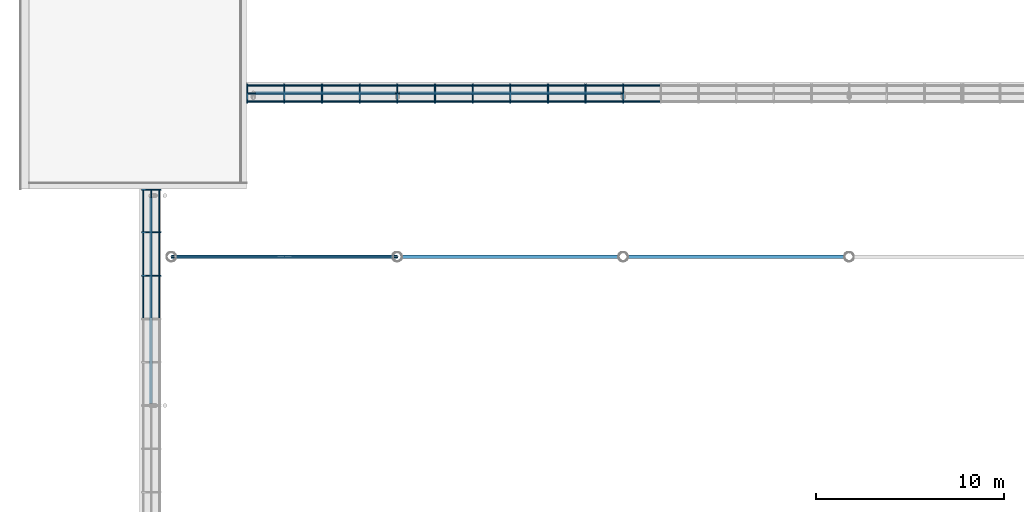
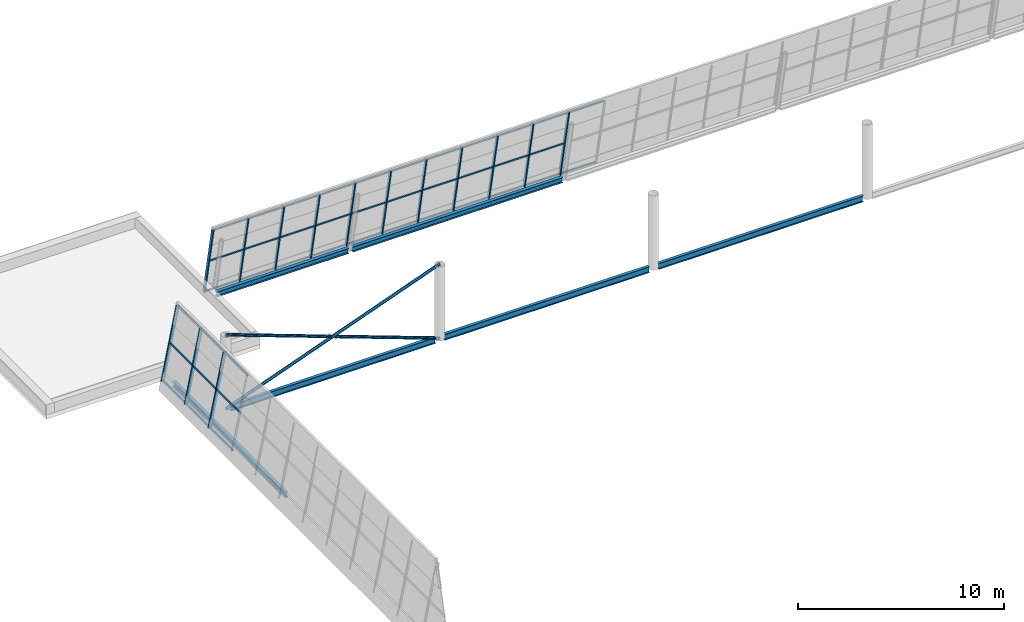
# One storey, part 12 of 50: 58 members, 6 beams, 2 elements without a shape of their own.
"""IFC4 building model written with IfcOpenShell, lengths in metres."""

import ifcopenshell
import ifcopenshell.guid

model = None  # the IFC model being written
_history = None  # IfcOwnerHistory: only IFC2X3 demands one
_inside = {}  # id of a spatial element -> (the spatial element, [elements in it])
_under = {}  # id of a project, library or spatial element -> (it, [spatial elements below it])
_declared = {}  # id of a project -> (the project, [libraries it declares])
_typed = {}  # id of a type object -> (the type object, [elements of that type])
_made_of = {}  # id of a material, layer set ... -> (it, [elements and type objects made of it])


def new_model(schema):
    """Start an empty IFC model of exactly this schema.

    Asked for "IFC4X3", IfcOpenShell would pick the latest addendum, in which some entities
    have other attributes; the version numbers below select the first issue.
    IFC2X3 requires an IfcOwnerHistory on every rooted entity: one is made here for all.
    """
    global model, _history
    if schema == "IFC4X3":
        model = ifcopenshell.file(schema_version=(4, 3, 0, 0))
    else:
        model = ifcopenshell.file(schema=schema)
    _inside.clear()
    _under.clear()
    _declared.clear()
    _typed.clear()
    _made_of.clear()
    _history = None
    if model.schema == "IFC2X3":
        org = make("IfcOrganization", Name="unknown")
        user = make(
            "IfcPersonAndOrganization",
            ThePerson=make("IfcPerson", FamilyName="unknown"),
            TheOrganization=org,
        )
        app = make(
            "IfcApplication",
            ApplicationDeveloper=org,
            Version="unknown",
            ApplicationFullName="unknown",
            ApplicationIdentifier="unknown",
        )
        _history = make(
            "IfcOwnerHistory",
            OwningUser=user,
            OwningApplication=app,
            ChangeAction="ADDED",
            CreationDate=0,
        )
    return model


def make(cls, **values):
    """One entity of the class cls with the attributes given. An attribute that is None is left unset."""
    return model.create_entity(
        cls, **{name: value for name, value in values.items() if value is not None}
    )


def rooted(cls, **values):
    """An entity with a GlobalId (a new one), such as an element, a storey or a relation."""
    return make(cls, GlobalId=ifcopenshell.guid.new(), OwnerHistory=_history, **values)


def si_unit(unit_type, name, prefix=None):
    """IfcSIUnit, for example si_unit("LENGTHUNIT", "METRE", prefix="MILLI")."""
    return make("IfcSIUnit", UnitType=unit_type, Prefix=prefix, Name=name)


def assignment(units):
    """IfcUnitAssignment: the units of a project."""
    return None if units is None else make("IfcUnitAssignment", Units=units)


def point(xyz):
    """IfcCartesianPoint."""
    return None if xyz is None else make("IfcCartesianPoint", Coordinates=xyz)


def direction(xyz):
    """IfcDirection."""
    return None if xyz is None else make("IfcDirection", DirectionRatios=xyz)


def frame(location, z_axis=None, x_axis=None):
    """IfcAxis2Placement3D, a coordinate frame: its origin and axes. An axis left out is left unset."""
    return make(
        "IfcAxis2Placement3D",
        Location=point(location),
        Axis=direction(z_axis),
        RefDirection=direction(x_axis),
    )


def frame_2d(location, x_axis=None):
    """IfcAxis2Placement2D, a coordinate frame in the plane: its origin and x axis."""
    return make(
        "IfcAxis2Placement2D", Location=point(location), RefDirection=direction(x_axis)
    )


def origin():
    """The frame at (0, 0, 0) with its axes left unset."""
    return frame((0.0, 0.0, 0.0))


def origin_2d():
    """The frame at (0, 0) in the plane with its x axis left unset."""
    return frame_2d((0.0, 0.0))


def place(relative_to, where):
    """IfcLocalPlacement: puts the frame where relative to a parent placement (None: the world)."""
    return make(
        "IfcLocalPlacement", PlacementRelTo=relative_to, RelativePlacement=where
    )


def context(
    kind, dimensions, precision=None, world=None, true_north=None, identifier=None
):
    """IfcGeometricRepresentationContext, for example the 3D "Model" context."""
    return make(
        "IfcGeometricRepresentationContext",
        ContextIdentifier=identifier,
        ContextType=kind,
        CoordinateSpaceDimension=dimensions,
        Precision=precision,
        WorldCoordinateSystem=world,
        TrueNorth=true_north,
    )


def subcontext(parent, identifier, kind, view, scale=None):
    """IfcGeometricRepresentationSubContext, for example "Body" below "Model"."""
    return make(
        "IfcGeometricRepresentationSubContext",
        ContextIdentifier=identifier,
        ContextType=kind,
        ParentContext=parent,
        TargetScale=scale,
        TargetView=view,
    )


def project(units=None, contexts=None):
    """IfcProject with its units and contexts."""
    return rooted(
        "IfcProject",
        Name="project",
        RepresentationContexts=contexts,
        UnitsInContext=assignment(units),
    )


def spatial(cls, under=None, at=None, **own):
    """A site, building, storey or space (cls), placed at a placement, below another one or the project."""
    s = rooted(cls, ObjectPlacement=at, **own)
    if under is not None:
        _under.setdefault(under.id(), (under, []))[1].append(s)
    return s


def profile(cls, at=None, kind="AREA", **sizes):
    """A parametric profile (cls). Its sizes go by their IFC names, for example OverallWidth=200.0."""
    return make(cls, ProfileType=kind, Position=at, **sizes)


def rectangle(**sizes):
    """IfcRectangleProfileDef."""
    return profile("IfcRectangleProfileDef", **sizes)


def hollow_circle(**sizes):
    """IfcCircleHollowProfileDef."""
    return profile("IfcCircleHollowProfileDef", **sizes)


def i_section(**sizes):
    """IfcIShapeProfileDef."""
    return profile("IfcIShapeProfileDef", **sizes)


def extrude(swept, where, along, depth):
    """IfcExtrudedAreaSolid: the profile swept, set in the frame where, extruded along a direction by depth."""
    return make(
        "IfcExtrudedAreaSolid",
        SweptArea=swept,
        Position=where,
        ExtrudedDirection=direction(along),
        Depth=depth,
    )


def shape(context_of_items, identifier, shape_type, items):
    """IfcShapeRepresentation: the items that make up one representation, for example the "Body"."""
    return make(
        "IfcShapeRepresentation",
        ContextOfItems=context_of_items,
        RepresentationIdentifier=identifier,
        RepresentationType=shape_type,
        Items=items,
    )


def material(Name=None, Category=None):
    """IfcMaterial."""
    return make("IfcMaterial", Name=Name, Category=Category)


def layer(
    of_material, thickness, ventilated=None, Name=None, Category=None, Priority=None
):
    """IfcMaterialLayer: one layer of a wall or slab, of a material (None: an air gap)."""
    return make(
        "IfcMaterialLayer",
        Material=of_material,
        LayerThickness=thickness,
        IsVentilated=ventilated,
        Name=Name,
        Category=Category,
        Priority=Priority,
    )


def layer_set(layers, Name=None):
    """IfcMaterialLayerSet."""
    return make("IfcMaterialLayerSet", MaterialLayers=layers, LayerSetName=Name)


def material_profile(
    of_material, cross_section, Name=None, Category=None, Priority=None
):
    """IfcMaterialProfile: a cross section and its material."""
    return make(
        "IfcMaterialProfile",
        Name=Name,
        Material=of_material,
        Profile=cross_section,
        Priority=Priority,
        Category=Category,
    )


def profile_set(profiles, Name=None, composite=None):
    """IfcMaterialProfileSet."""
    return make(
        "IfcMaterialProfileSet",
        Name=Name,
        MaterialProfiles=profiles,
        CompositeProfile=composite,
    )


def made_of(thing, what):
    """Note that an element or type object is made of a material, layer set ...; save() writes the relation."""
    if what is not None:
        _made_of.setdefault(what.id(), (what, []))[1].append(thing)
    return thing


def type_object(cls, material=None, **own):
    """A type object (cls), such as IfcWallType, which elements share."""
    return made_of(rooted(cls, **own), material)


def element(
    cls,
    number,
    at=None,
    inside=None,
    cuts=None,
    type_object=None,
    material=None,
    context=None,
    identifier="Body",
    shape_type=None,
    held_by="IfcProductDefinitionShape",
    body=None,
    shapes=None,
    **own,
):
    """One element of the class cls, such as IfcWall. Its Tag is "e" and its number.

    at: its placement. inside: the storey or other place that contains it. cuts: it is an
    opening in that element (IfcRelVoidsElement). A single representation is given by context,
    identifier, shape_type and body (its items); several are given by shapes. held_by: the class
    of the entity that holds the representations. save() writes the other relations.
    """
    e = rooted(cls, Tag="e%d" % number, ObjectPlacement=at, **own)
    if body is not None:
        shapes = [shape(context, identifier, shape_type, body)]
    if shapes is not None:
        e.Representation = make(held_by, Representations=shapes)
    if inside is not None:
        _inside.setdefault(inside.id(), (inside, []))[1].append(e)
    if cuts is not None:
        rooted(
            "IfcRelVoidsElement", RelatingBuildingElement=cuts, RelatedOpeningElement=e
        )
    if type_object is not None:
        _typed.setdefault(type_object.id(), (type_object, []))[1].append(e)
    return made_of(e, material)


def aggregate(whole, parts):
    """IfcRelAggregates: a whole, such as a stair, and the parts it consists of."""
    return rooted("IfcRelAggregates", RelatingObject=whole, RelatedObjects=parts)


def save(model, path):
    """Write the relations noted so far, then the file.

    IfcRelAggregates (storeys below a building ...), IfcRelContainedInSpatialStructure (elements
    in a storey), IfcRelDefinesByType, IfcRelAssociatesMaterial and IfcRelDeclares: one each for
    every whole, place, type object, material and project.
    """
    for whole, parts in _under.values():
        aggregate(whole, parts)
    for where, things in _inside.values():
        rooted(
            "IfcRelContainedInSpatialStructure",
            RelatedElements=things,
            RelatingStructure=where,
        )
    for kind, things in _typed.values():
        rooted("IfcRelDefinesByType", RelatedObjects=things, RelatingType=kind)
    for what, things in _made_of.values():
        rooted("IfcRelAssociatesMaterial", RelatedObjects=things, RelatingMaterial=what)
    for by, libraries in _declared.values():
        rooted("IfcRelDeclares", RelatingContext=by, RelatedDefinitions=libraries)
    model.write(path)


model = new_model("IFC4")

# Units and contexts
model_context = context("Model", 3, precision=1e-05, world=origin(), true_north=direction((0.0, 1.0)))
body_context = subcontext(model_context, "Body", "Model", "MODEL_VIEW")
ifc_project = project(units=[si_unit("LENGTHUNIT", "METRE"), si_unit("AREAUNIT", "SQUARE_METRE"), si_unit("VOLUMEUNIT", "CUBIC_METRE"), si_unit("PLANEANGLEUNIT", "RADIAN"), si_unit("MASSUNIT", "GRAM", prefix="KILO")], contexts=[model_context])

# Site, building, storey
site_placement = place(None, origin())
site = spatial("IfcSite", under=ifc_project, at=site_placement, CompositionType="ELEMENT")
building_placement = place(site_placement, origin())
building = spatial("IfcBuilding", under=site, at=building_placement, Name="Windward Yard Aquatics Centre", CompositionType="ELEMENT")
storey_placement = place(building_placement, frame((0.0, 0.0, 18.199951171875)))
storey = spatial("IfcBuildingStorey", under=building, at=storey_placement, Name="L04", CompositionType="ELEMENT", Elevation=18.199951171875)

# Curtain wall, members
ifc_material_1 = material(Name="Glass and aluminium curtain wall", Category="aluminium")
ifc_layer = layer(ifc_material_1, 0.179931640625)
ifc_layer_set = layer_set([ifc_layer], Name="H curtain wall tier 2 double glazed 6+16+6")
curtain_wall_type = type_object("IfcCurtainWallType", Name="H curtain wall tier 2 double glazed 6+16+6", PredefinedType="NOTDEFINED", material=ifc_layer_set)
curtain_wall_1_placement = place(storey_placement, origin())
curtain_wall_1 = element("IfcCurtainWall", 1, at=curtain_wall_1_placement, inside=storey, type_object=curtain_wall_type, Name="Tier 2 glazing N L04", PredefinedType="NOTDEFINED")
ifc_material_2 = material(Name="Aluminium 6063-T6 anodised", Category="aluminium")
ifc_material_profile_1 = material_profile(ifc_material_2, rectangle(XDim=0.06494140625, YDim=0.179931640625, at=origin_2d()), Name="H CW mullion 65x180")
ifc_profile_set_1 = profile_set([ifc_material_profile_1], Name="Aluminium 6063-T6 anodised")
member_type_1 = type_object("IfcMemberType", Name="H CW mullion 65x180", PredefinedType="MULLION", material=ifc_profile_set_1)
member_1_placement = place(storey_placement, frame((64.032470703125, 89.494873046875, 0.0), z_axis=(0.0, -0.199376314935, 0.979922999548), x_axis=(1.0, 0.0, 0.0)))
member_1 = element("IfcMember", 2, at=member_1_placement, type_object=member_type_1, Name="G2NA mullion 1", PredefinedType="MULLION", context=body_context, shape_type="SweptSolid", body=[
    extrude(rectangle(XDim=0.06494140625, YDim=0.179931640625, at=origin_2d()), origin(), (0.0, 0.0, 1.0), 4.31884765625),
])
member_2_placement = place(storey_placement, frame((65.999755859375, 89.494873046875, 0.0), z_axis=(0.0, -0.199376314935, 0.979922999548), x_axis=(1.0, 0.0, 0.0)))
member_2 = element("IfcMember", 3, at=member_2_placement, type_object=member_type_1, Name="G2NA mullion 2", PredefinedType="MULLION", context=body_context, shape_type="SweptSolid", body=[
    extrude(rectangle(XDim=0.06494140625, YDim=0.179931640625, at=origin_2d()), origin(), (0.0, 0.0, 1.0), 4.31884765625),
])
member_3_placement = place(storey_placement, frame((67.99951171875, 89.494873046875, 0.0), z_axis=(0.0, -0.199376314935, 0.979922999548), x_axis=(1.0, 0.0, 0.0)))
member_3 = element("IfcMember", 4, at=member_3_placement, type_object=member_type_1, Name="G2NA mullion 3", PredefinedType="MULLION", context=body_context, shape_type="SweptSolid", body=[
    extrude(rectangle(XDim=0.06494140625, YDim=0.179931640625, at=origin_2d()), origin(), (0.0, 0.0, 1.0), 4.31884765625),
])
member_4_placement = place(storey_placement, frame((69.999267578125, 89.494873046875, 0.0), z_axis=(0.0, -0.199376314935, 0.979922999548), x_axis=(1.0, 0.0, 0.0)))
member_4 = element("IfcMember", 5, at=member_4_placement, type_object=member_type_1, Name="G2NA mullion 4", PredefinedType="MULLION", context=body_context, shape_type="SweptSolid", body=[
    extrude(rectangle(XDim=0.06494140625, YDim=0.179931640625, at=origin_2d()), origin(), (0.0, 0.0, 1.0), 4.31884765625),
])
member_5_placement = place(storey_placement, frame((71.9990234375, 89.494873046875, 0.0), z_axis=(0.0, -0.199376314935, 0.979922999548), x_axis=(1.0, 0.0, 0.0)))
member_5 = element("IfcMember", 6, at=member_5_placement, type_object=member_type_1, Name="G2NA mullion 5", PredefinedType="MULLION", context=body_context, shape_type="SweptSolid", body=[
    extrude(rectangle(XDim=0.06494140625, YDim=0.179931640625, at=origin_2d()), origin(), (0.0, 0.0, 1.0), 4.31884765625),
])
member_6_placement = place(storey_placement, frame((73.998779296875, 89.494873046875, 0.0), z_axis=(0.0, -0.199376314935, 0.979922999548), x_axis=(1.0, 0.0, 0.0)))
member_6 = element("IfcMember", 7, at=member_6_placement, type_object=member_type_1, Name="G2NA mullion 6", PredefinedType="MULLION", context=body_context, shape_type="SweptSolid", body=[
    extrude(rectangle(XDim=0.06494140625, YDim=0.179931640625, at=origin_2d()), origin(), (0.0, 0.0, 1.0), 4.31884765625),
])
member_7_placement = place(storey_placement, frame((75.99853515625, 89.494873046875, 0.0), z_axis=(0.0, -0.199376314935, 0.979922999548), x_axis=(1.0, 0.0, 0.0)))
member_7 = element("IfcMember", 8, at=member_7_placement, type_object=member_type_1, Name="G2NA mullion 7", PredefinedType="MULLION", context=body_context, shape_type="SweptSolid", body=[
    extrude(rectangle(XDim=0.06494140625, YDim=0.179931640625, at=origin_2d()), origin(), (0.0, 0.0, 1.0), 4.31884765625),
])
member_8_placement = place(storey_placement, frame((77.998046875, 89.494873046875, 0.0), z_axis=(0.0, -0.199376314935, 0.979922999548), x_axis=(1.0, 0.0, 0.0)))
member_8 = element("IfcMember", 9, at=member_8_placement, type_object=member_type_1, Name="G2NA mullion 8", PredefinedType="MULLION", context=body_context, shape_type="SweptSolid", body=[
    extrude(rectangle(XDim=0.06494140625, YDim=0.179931640625, at=origin_2d()), origin(), (0.0, 0.0, 1.0), 4.31884765625),
])
member_9_placement = place(storey_placement, frame((79.997802734375, 89.494873046875, 0.0), z_axis=(0.0, -0.199376314935, 0.979922999548), x_axis=(1.0, 0.0, 0.0)))
member_9 = element("IfcMember", 10, at=member_9_placement, type_object=member_type_1, Name="G2NA mullion 9", PredefinedType="MULLION", context=body_context, shape_type="SweptSolid", body=[
    extrude(rectangle(XDim=0.06494140625, YDim=0.179931640625, at=origin_2d()), origin(), (0.0, 0.0, 1.0), 4.31884765625),
])
member_10_placement = place(storey_placement, frame((81.99755859375, 89.494873046875, 0.0), z_axis=(0.0, -0.199376314935, 0.979922999548), x_axis=(1.0, 0.0, 0.0)))
member_10 = element("IfcMember", 11, at=member_10_placement, type_object=member_type_1, Name="G2NA mullion 10", PredefinedType="MULLION", context=body_context, shape_type="SweptSolid", body=[
    extrude(rectangle(XDim=0.06494140625, YDim=0.179931640625, at=origin_2d()), origin(), (0.0, 0.0, 1.0), 4.31884765625),
])
member_11_placement = place(storey_placement, frame((83.997314453125, 89.494873046875, 0.0), z_axis=(0.0, -0.199376314935, 0.979922999548), x_axis=(1.0, 0.0, 0.0)))
member_11 = element("IfcMember", 12, at=member_11_placement, type_object=member_type_1, Name="G2NA mullion 11", PredefinedType="MULLION", context=body_context, shape_type="SweptSolid", body=[
    extrude(rectangle(XDim=0.06494140625, YDim=0.179931640625, at=origin_2d()), origin(), (0.0, 0.0, 1.0), 4.31884765625),
])

curtain_wall_2_placement = place(storey_placement, origin())
curtain_wall_2 = element("IfcCurtainWall", 13, at=curtain_wall_2_placement, inside=storey, type_object=curtain_wall_type, Name="Tier 2 glazing W L04", PredefinedType="NOTDEFINED")
member_12_placement = place(storey_placement, frame((58.505126953125, 79.39990234375, 0.0), z_axis=(0.199376314935, 0.0, 0.979922999548), x_axis=(0.0, 1.0, 0.0)))
member_12 = element("IfcMember", 14, at=member_12_placement, type_object=member_type_1, Name="G2WA mullion 19", PredefinedType="MULLION", context=body_context, shape_type="SweptSolid", body=[
    extrude(rectangle(XDim=0.06494140625, YDim=0.179931640625, at=origin_2d()), origin(), (0.0, 0.0, 1.0), 4.31884765625),
])
member_13_placement = place(storey_placement, frame((58.505126953125, 81.699951171875, 0.0), z_axis=(0.199376314935, 0.0, 0.979922999548), x_axis=(0.0, 1.0, 0.0)))
member_13 = element("IfcMember", 15, at=member_13_placement, type_object=member_type_1, Name="G2WA mullion 20", PredefinedType="MULLION", context=body_context, shape_type="SweptSolid", body=[
    extrude(rectangle(XDim=0.06494140625, YDim=0.179931640625, at=origin_2d()), origin(), (0.0, 0.0, 1.0), 4.31884765625),
])
member_14_placement = place(storey_placement, frame((58.505126953125, 83.967529296875, 0.0), z_axis=(0.199376314935, 0.0, 0.979922999548), x_axis=(0.0, 1.0, 0.0)))
member_14 = element("IfcMember", 16, at=member_14_placement, type_object=member_type_1, Name="G2WA mullion 21", PredefinedType="MULLION", context=body_context, shape_type="SweptSolid", body=[
    extrude(rectangle(XDim=0.06494140625, YDim=0.179931640625, at=origin_2d()), origin(), (0.0, 0.0, 1.0), 4.31884765625),
])

# Member
ifc_material_profile_2 = material_profile(ifc_material_2, rectangle(XDim=0.06494140625, YDim=0.10009765625, at=origin_2d()), Name="H CW transom 65x100")
ifc_profile_set_2 = profile_set([ifc_material_profile_2], Name="Aluminium 6063-T6 anodised")
member_type_2 = type_object("IfcMemberType", Name="H CW transom 65x100", PredefinedType="USERDEFINED", material=ifc_profile_set_2)
member_15_placement = place(storey_placement, frame((64.06494140625, 89.48486328125, 0.049072265625), z_axis=(1.0, 0.0, 0.0), x_axis=(0.0, 0.9799247046, 0.19936793452)))
member_15 = element("IfcMember", 17, at=member_15_placement, type_object=member_type_2, Name="G2NA transom 1.1", ObjectType="TRANSOM", PredefinedType="USERDEFINED", context=body_context, shape_type="SweptSolid", body=[
    extrude(rectangle(XDim=0.06494140625, YDim=0.10009765625, at=origin_2d()), origin(), (0.0, 0.0, 1.0), 1.90234375),
])

member_16_placement = place(storey_placement, frame((64.06494140625, 89.0625, 2.125), z_axis=(1.0, 0.0, 0.0), x_axis=(0.0, 0.9799247046, 0.19936793452)))
member_16 = element("IfcMember", 18, at=member_16_placement, type_object=member_type_2, Name="G2NA transom 1.2", ObjectType="TRANSOM", PredefinedType="USERDEFINED", context=body_context, shape_type="SweptSolid", body=[
    extrude(rectangle(XDim=0.06494140625, YDim=0.10009765625, at=origin_2d()), origin(), (0.0, 0.0, 1.0), 1.90234375),
])

member_17_placement = place(storey_placement, frame((64.06494140625, 88.641357421875, 4.194580078125), z_axis=(1.0, 0.0, 0.0), x_axis=(0.0, 0.9799247046, 0.19936793452)))
member_17 = element("IfcMember", 19, at=member_17_placement, type_object=member_type_2, Name="G2NA transom 1.3", ObjectType="TRANSOM", PredefinedType="USERDEFINED", context=body_context, shape_type="SweptSolid", body=[
    extrude(rectangle(XDim=0.06494140625, YDim=0.10009765625, at=origin_2d()), origin(), (0.0, 0.0, 1.0), 1.90234375),
])

member_18_placement = place(storey_placement, frame((66.0322265625, 89.48486328125, 0.049072265625), z_axis=(1.0, 0.0, 0.0), x_axis=(0.0, 0.9799247046, 0.19936793452)))
member_18 = element("IfcMember", 20, at=member_18_placement, type_object=member_type_2, Name="G2NA transom 2.1", ObjectType="TRANSOM", PredefinedType="USERDEFINED", context=body_context, shape_type="SweptSolid", body=[
    extrude(rectangle(XDim=0.06494140625, YDim=0.10009765625, at=origin_2d()), origin(), (0.0, 0.0, 1.0), 1.934814453125),
])

member_19_placement = place(storey_placement, frame((66.0322265625, 89.0625, 2.125), z_axis=(1.0, 0.0, 0.0), x_axis=(0.0, 0.9799247046, 0.19936793452)))
member_19 = element("IfcMember", 21, at=member_19_placement, type_object=member_type_2, Name="G2NA transom 2.2", ObjectType="TRANSOM", PredefinedType="USERDEFINED", context=body_context, shape_type="SweptSolid", body=[
    extrude(rectangle(XDim=0.06494140625, YDim=0.10009765625, at=origin_2d()), origin(), (0.0, 0.0, 1.0), 1.934814453125),
])

member_20_placement = place(storey_placement, frame((66.0322265625, 88.641357421875, 4.194580078125), z_axis=(1.0, 0.0, 0.0), x_axis=(0.0, 0.9799247046, 0.19936793452)))
member_20 = element("IfcMember", 22, at=member_20_placement, type_object=member_type_2, Name="G2NA transom 2.3", ObjectType="TRANSOM", PredefinedType="USERDEFINED", context=body_context, shape_type="SweptSolid", body=[
    extrude(rectangle(XDim=0.06494140625, YDim=0.10009765625, at=origin_2d()), origin(), (0.0, 0.0, 1.0), 1.934814453125),
])

member_21_placement = place(storey_placement, frame((68.031982421875, 89.48486328125, 0.049072265625), z_axis=(1.0, 0.0, 0.0), x_axis=(0.0, 0.9799247046, 0.19936793452)))
member_21 = element("IfcMember", 23, at=member_21_placement, type_object=member_type_2, Name="G2NA transom 3.1", ObjectType="TRANSOM", PredefinedType="USERDEFINED", context=body_context, shape_type="SweptSolid", body=[
    extrude(rectangle(XDim=0.06494140625, YDim=0.10009765625, at=origin_2d()), origin(), (0.0, 0.0, 1.0), 1.934814453125),
])

member_22_placement = place(storey_placement, frame((68.031982421875, 89.0625, 2.125), z_axis=(1.0, 0.0, 0.0), x_axis=(0.0, 0.9799247046, 0.19936793452)))
member_22 = element("IfcMember", 24, at=member_22_placement, type_object=member_type_2, Name="G2NA transom 3.2", ObjectType="TRANSOM", PredefinedType="USERDEFINED", context=body_context, shape_type="SweptSolid", body=[
    extrude(rectangle(XDim=0.06494140625, YDim=0.10009765625, at=origin_2d()), origin(), (0.0, 0.0, 1.0), 1.934814453125),
])

member_23_placement = place(storey_placement, frame((68.031982421875, 88.641357421875, 4.194580078125), z_axis=(1.0, 0.0, 0.0), x_axis=(0.0, 0.9799247046, 0.19936793452)))
member_23 = element("IfcMember", 25, at=member_23_placement, type_object=member_type_2, Name="G2NA transom 3.3", ObjectType="TRANSOM", PredefinedType="USERDEFINED", context=body_context, shape_type="SweptSolid", body=[
    extrude(rectangle(XDim=0.06494140625, YDim=0.10009765625, at=origin_2d()), origin(), (0.0, 0.0, 1.0), 1.934814453125),
])

member_24_placement = place(storey_placement, frame((70.03173828125, 89.48486328125, 0.049072265625), z_axis=(1.0, 0.0, 0.0), x_axis=(0.0, 0.9799247046, 0.19936793452)))
member_24 = element("IfcMember", 26, at=member_24_placement, type_object=member_type_2, Name="G2NA transom 4.1", ObjectType="TRANSOM", PredefinedType="USERDEFINED", context=body_context, shape_type="SweptSolid", body=[
    extrude(rectangle(XDim=0.06494140625, YDim=0.10009765625, at=origin_2d()), origin(), (0.0, 0.0, 1.0), 1.934814453125),
])

member_25_placement = place(storey_placement, frame((70.03173828125, 89.0625, 2.125), z_axis=(1.0, 0.0, 0.0), x_axis=(0.0, 0.9799247046, 0.19936793452)))
member_25 = element("IfcMember", 27, at=member_25_placement, type_object=member_type_2, Name="G2NA transom 4.2", ObjectType="TRANSOM", PredefinedType="USERDEFINED", context=body_context, shape_type="SweptSolid", body=[
    extrude(rectangle(XDim=0.06494140625, YDim=0.10009765625, at=origin_2d()), origin(), (0.0, 0.0, 1.0), 1.934814453125),
])

member_26_placement = place(storey_placement, frame((70.03173828125, 88.641357421875, 4.194580078125), z_axis=(1.0, 0.0, 0.0), x_axis=(0.0, 0.9799247046, 0.19936793452)))
member_26 = element("IfcMember", 28, at=member_26_placement, type_object=member_type_2, Name="G2NA transom 4.3", ObjectType="TRANSOM", PredefinedType="USERDEFINED", context=body_context, shape_type="SweptSolid", body=[
    extrude(rectangle(XDim=0.06494140625, YDim=0.10009765625, at=origin_2d()), origin(), (0.0, 0.0, 1.0), 1.934814453125),
])

member_27_placement = place(storey_placement, frame((72.031494140625, 89.48486328125, 0.049072265625), z_axis=(1.0, 0.0, 0.0), x_axis=(0.0, 0.9799247046, 0.19936793452)))
member_27 = element("IfcMember", 29, at=member_27_placement, type_object=member_type_2, Name="G2NA transom 5.1", ObjectType="TRANSOM", PredefinedType="USERDEFINED", context=body_context, shape_type="SweptSolid", body=[
    extrude(rectangle(XDim=0.06494140625, YDim=0.10009765625, at=origin_2d()), origin(), (0.0, 0.0, 1.0), 1.9345703125),
])

member_28_placement = place(storey_placement, frame((72.031494140625, 89.0625, 2.125), z_axis=(1.0, 0.0, 0.0), x_axis=(0.0, 0.9799247046, 0.19936793452)))
member_28 = element("IfcMember", 30, at=member_28_placement, type_object=member_type_2, Name="G2NA transom 5.2", ObjectType="TRANSOM", PredefinedType="USERDEFINED", context=body_context, shape_type="SweptSolid", body=[
    extrude(rectangle(XDim=0.06494140625, YDim=0.10009765625, at=origin_2d()), origin(), (0.0, 0.0, 1.0), 1.9345703125),
])

member_29_placement = place(storey_placement, frame((72.031494140625, 88.641357421875, 4.194580078125), z_axis=(1.0, 0.0, 0.0), x_axis=(0.0, 0.9799247046, 0.19936793452)))
member_29 = element("IfcMember", 31, at=member_29_placement, type_object=member_type_2, Name="G2NA transom 5.3", ObjectType="TRANSOM", PredefinedType="USERDEFINED", context=body_context, shape_type="SweptSolid", body=[
    extrude(rectangle(XDim=0.06494140625, YDim=0.10009765625, at=origin_2d()), origin(), (0.0, 0.0, 1.0), 1.9345703125),
])

member_30_placement = place(storey_placement, frame((74.03125, 89.48486328125, 0.049072265625), z_axis=(1.0, 0.0, 0.0), x_axis=(0.0, 0.9799247046, 0.19936793452)))
member_30 = element("IfcMember", 32, at=member_30_placement, type_object=member_type_2, Name="G2NA transom 6.1", ObjectType="TRANSOM", PredefinedType="USERDEFINED", context=body_context, shape_type="SweptSolid", body=[
    extrude(rectangle(XDim=0.06494140625, YDim=0.10009765625, at=origin_2d()), origin(), (0.0, 0.0, 1.0), 1.9345703125),
])

member_31_placement = place(storey_placement, frame((74.03125, 89.0625, 2.125), z_axis=(1.0, 0.0, 0.0), x_axis=(0.0, 0.9799247046, 0.19936793452)))
member_31 = element("IfcMember", 33, at=member_31_placement, type_object=member_type_2, Name="G2NA transom 6.2", ObjectType="TRANSOM", PredefinedType="USERDEFINED", context=body_context, shape_type="SweptSolid", body=[
    extrude(rectangle(XDim=0.06494140625, YDim=0.10009765625, at=origin_2d()), origin(), (0.0, 0.0, 1.0), 1.9345703125),
])

member_32_placement = place(storey_placement, frame((74.03125, 88.641357421875, 4.194580078125), z_axis=(1.0, 0.0, 0.0), x_axis=(0.0, 0.9799247046, 0.19936793452)))
member_32 = element("IfcMember", 34, at=member_32_placement, type_object=member_type_2, Name="G2NA transom 6.3", ObjectType="TRANSOM", PredefinedType="USERDEFINED", context=body_context, shape_type="SweptSolid", body=[
    extrude(rectangle(XDim=0.06494140625, YDim=0.10009765625, at=origin_2d()), origin(), (0.0, 0.0, 1.0), 1.9345703125),
])

member_33_placement = place(storey_placement, frame((76.031005859375, 89.48486328125, 0.049072265625), z_axis=(1.0, 0.0, 0.0), x_axis=(0.0, 0.9799247046, 0.19936793452)))
member_33 = element("IfcMember", 35, at=member_33_placement, type_object=member_type_2, Name="G2NA transom 7.1", ObjectType="TRANSOM", PredefinedType="USERDEFINED", context=body_context, shape_type="SweptSolid", body=[
    extrude(rectangle(XDim=0.06494140625, YDim=0.10009765625, at=origin_2d()), origin(), (0.0, 0.0, 1.0), 1.9345703125),
])

member_34_placement = place(storey_placement, frame((76.031005859375, 89.0625, 2.125), z_axis=(1.0, 0.0, 0.0), x_axis=(0.0, 0.9799247046, 0.19936793452)))
member_34 = element("IfcMember", 36, at=member_34_placement, type_object=member_type_2, Name="G2NA transom 7.2", ObjectType="TRANSOM", PredefinedType="USERDEFINED", context=body_context, shape_type="SweptSolid", body=[
    extrude(rectangle(XDim=0.06494140625, YDim=0.10009765625, at=origin_2d()), origin(), (0.0, 0.0, 1.0), 1.9345703125),
])

member_35_placement = place(storey_placement, frame((76.031005859375, 88.641357421875, 4.194580078125), z_axis=(1.0, 0.0, 0.0), x_axis=(0.0, 0.9799247046, 0.19936793452)))
member_35 = element("IfcMember", 37, at=member_35_placement, type_object=member_type_2, Name="G2NA transom 7.3", ObjectType="TRANSOM", PredefinedType="USERDEFINED", context=body_context, shape_type="SweptSolid", body=[
    extrude(rectangle(XDim=0.06494140625, YDim=0.10009765625, at=origin_2d()), origin(), (0.0, 0.0, 1.0), 1.9345703125),
])

member_36_placement = place(storey_placement, frame((78.03076171875, 89.48486328125, 0.049072265625), z_axis=(1.0, 0.0, 0.0), x_axis=(0.0, 0.9799247046, 0.19936793452)))
member_36 = element("IfcMember", 38, at=member_36_placement, type_object=member_type_2, Name="G2NA transom 8.1", ObjectType="TRANSOM", PredefinedType="USERDEFINED", context=body_context, shape_type="SweptSolid", body=[
    extrude(rectangle(XDim=0.06494140625, YDim=0.10009765625, at=origin_2d()), origin(), (0.0, 0.0, 1.0), 1.9345703125),
])

member_37_placement = place(storey_placement, frame((78.03076171875, 89.0625, 2.125), z_axis=(1.0, 0.0, 0.0), x_axis=(0.0, 0.9799247046, 0.19936793452)))
member_37 = element("IfcMember", 39, at=member_37_placement, type_object=member_type_2, Name="G2NA transom 8.2", ObjectType="TRANSOM", PredefinedType="USERDEFINED", context=body_context, shape_type="SweptSolid", body=[
    extrude(rectangle(XDim=0.06494140625, YDim=0.10009765625, at=origin_2d()), origin(), (0.0, 0.0, 1.0), 1.9345703125),
])

member_38_placement = place(storey_placement, frame((78.03076171875, 88.641357421875, 4.194580078125), z_axis=(1.0, 0.0, 0.0), x_axis=(0.0, 0.9799247046, 0.19936793452)))
member_38 = element("IfcMember", 40, at=member_38_placement, type_object=member_type_2, Name="G2NA transom 8.3", ObjectType="TRANSOM", PredefinedType="USERDEFINED", context=body_context, shape_type="SweptSolid", body=[
    extrude(rectangle(XDim=0.06494140625, YDim=0.10009765625, at=origin_2d()), origin(), (0.0, 0.0, 1.0), 1.9345703125),
])

member_39_placement = place(storey_placement, frame((80.0302734375, 89.48486328125, 0.049072265625), z_axis=(1.0, 0.0, 0.0), x_axis=(0.0, 0.9799247046, 0.19936793452)))
member_39 = element("IfcMember", 41, at=member_39_placement, type_object=member_type_2, Name="G2NA transom 9.1", ObjectType="TRANSOM", PredefinedType="USERDEFINED", context=body_context, shape_type="SweptSolid", body=[
    extrude(rectangle(XDim=0.06494140625, YDim=0.10009765625, at=origin_2d()), origin(), (0.0, 0.0, 1.0), 1.934814453125),
])

member_40_placement = place(storey_placement, frame((80.0302734375, 89.0625, 2.125), z_axis=(1.0, 0.0, 0.0), x_axis=(0.0, 0.9799247046, 0.19936793452)))
member_40 = element("IfcMember", 42, at=member_40_placement, type_object=member_type_2, Name="G2NA transom 9.2", ObjectType="TRANSOM", PredefinedType="USERDEFINED", context=body_context, shape_type="SweptSolid", body=[
    extrude(rectangle(XDim=0.06494140625, YDim=0.10009765625, at=origin_2d()), origin(), (0.0, 0.0, 1.0), 1.934814453125),
])

member_41_placement = place(storey_placement, frame((80.0302734375, 88.641357421875, 4.194580078125), z_axis=(1.0, 0.0, 0.0), x_axis=(0.0, 0.9799247046, 0.19936793452)))
member_41 = element("IfcMember", 43, at=member_41_placement, type_object=member_type_2, Name="G2NA transom 9.3", ObjectType="TRANSOM", PredefinedType="USERDEFINED", context=body_context, shape_type="SweptSolid", body=[
    extrude(rectangle(XDim=0.06494140625, YDim=0.10009765625, at=origin_2d()), origin(), (0.0, 0.0, 1.0), 1.934814453125),
])

member_42_placement = place(storey_placement, frame((82.030029296875, 89.48486328125, 0.049072265625), z_axis=(1.0, 0.0, 0.0), x_axis=(0.0, 0.9799247046, 0.19936793452)))
member_42 = element("IfcMember", 44, at=member_42_placement, type_object=member_type_2, Name="G2NA transom 10.1", ObjectType="TRANSOM", PredefinedType="USERDEFINED", context=body_context, shape_type="SweptSolid", body=[
    extrude(rectangle(XDim=0.06494140625, YDim=0.10009765625, at=origin_2d()), origin(), (0.0, 0.0, 1.0), 1.934814453125),
])

member_43_placement = place(storey_placement, frame((82.030029296875, 89.0625, 2.125), z_axis=(1.0, 0.0, 0.0), x_axis=(0.0, 0.9799247046, 0.19936793452)))
member_43 = element("IfcMember", 45, at=member_43_placement, type_object=member_type_2, Name="G2NA transom 10.2", ObjectType="TRANSOM", PredefinedType="USERDEFINED", context=body_context, shape_type="SweptSolid", body=[
    extrude(rectangle(XDim=0.06494140625, YDim=0.10009765625, at=origin_2d()), origin(), (0.0, 0.0, 1.0), 1.934814453125),
])

member_44_placement = place(storey_placement, frame((82.030029296875, 88.641357421875, 4.194580078125), z_axis=(1.0, 0.0, 0.0), x_axis=(0.0, 0.9799247046, 0.19936793452)))
member_44 = element("IfcMember", 46, at=member_44_placement, type_object=member_type_2, Name="G2NA transom 10.3", ObjectType="TRANSOM", PredefinedType="USERDEFINED", context=body_context, shape_type="SweptSolid", body=[
    extrude(rectangle(XDim=0.06494140625, YDim=0.10009765625, at=origin_2d()), origin(), (0.0, 0.0, 1.0), 1.934814453125),
])

member_45_placement = place(storey_placement, frame((84.02978515625, 89.48486328125, 0.049072265625), z_axis=(1.0, 0.0, 0.0), x_axis=(0.0, 0.9799247046, 0.19936793452)))
member_45 = element("IfcMember", 47, at=member_45_placement, type_object=member_type_2, Name="G2NA transom 11.1", ObjectType="TRANSOM", PredefinedType="USERDEFINED", context=body_context, shape_type="SweptSolid", body=[
    extrude(rectangle(XDim=0.06494140625, YDim=0.10009765625, at=origin_2d()), origin(), (0.0, 0.0, 1.0), 1.934814453125),
])

member_46_placement = place(storey_placement, frame((84.02978515625, 88.641357421875, 4.194580078125), z_axis=(1.0, 0.0, 0.0), x_axis=(0.0, 0.9799247046, 0.19936793452)))
member_46 = element("IfcMember", 48, at=member_46_placement, type_object=member_type_2, Name="G2NA transom 11.3", ObjectType="TRANSOM", PredefinedType="USERDEFINED", context=body_context, shape_type="SweptSolid", body=[
    extrude(rectangle(XDim=0.06494140625, YDim=0.10009765625, at=origin_2d()), origin(), (0.0, 0.0, 1.0), 1.934814453125),
])

aggregate(curtain_wall_1, [member_1, member_2, member_3, member_4, member_5, member_6, member_7, member_8, member_9, member_10, member_11, member_15, member_16, member_17, member_18, member_19, member_20, member_21, member_22, member_23, member_24, member_25, member_26, member_27, member_28, member_29, member_30, member_31, member_32, member_33, member_34, member_35, member_36, member_37, member_38, member_39, member_40, member_41, member_42, member_43, member_44, member_45, member_46])

member_47_placement = place(storey_placement, frame((58.51513671875, 77.132568359375, 0.049072265625), z_axis=(0.0, 1.0, 0.0), x_axis=(-0.9799247046, 0.0, 0.19936793452)))
member_47 = element("IfcMember", 49, at=member_47_placement, type_object=member_type_2, Name="G2WA transom 18.1", ObjectType="TRANSOM", PredefinedType="USERDEFINED", context=body_context, shape_type="SweptSolid", body=[
    extrude(rectangle(XDim=0.06494140625, YDim=0.10009765625, at=origin_2d()), origin(), (0.0, 0.0, 1.0), 2.23486328125),
])

member_48_placement = place(storey_placement, frame((58.9375, 77.132568359375, 2.125), z_axis=(0.0, 1.0, 0.0), x_axis=(-0.9799247046, 0.0, 0.19936793452)))
member_48 = element("IfcMember", 50, at=member_48_placement, type_object=member_type_2, Name="G2WA transom 18.2", ObjectType="TRANSOM", PredefinedType="USERDEFINED", context=body_context, shape_type="SweptSolid", body=[
    extrude(rectangle(XDim=0.06494140625, YDim=0.10009765625, at=origin_2d()), origin(), (0.0, 0.0, 1.0), 2.23486328125),
])

member_49_placement = place(storey_placement, frame((59.358642578125, 77.132568359375, 4.194580078125), z_axis=(0.0, 1.0, 0.0), x_axis=(-0.9799247046, 0.0, 0.19936793452)))
member_49 = element("IfcMember", 51, at=member_49_placement, type_object=member_type_2, Name="G2WA transom 18.3", ObjectType="TRANSOM", PredefinedType="USERDEFINED", context=body_context, shape_type="SweptSolid", body=[
    extrude(rectangle(XDim=0.06494140625, YDim=0.10009765625, at=origin_2d()), origin(), (0.0, 0.0, 1.0), 2.23486328125),
])

member_50_placement = place(storey_placement, frame((58.51513671875, 79.4326171875, 0.049072265625), z_axis=(0.0, 1.0, 0.0), x_axis=(-0.9799247046, 0.0, 0.19936793452)))
member_50 = element("IfcMember", 52, at=member_50_placement, type_object=member_type_2, Name="G2WA transom 19.1", ObjectType="TRANSOM", PredefinedType="USERDEFINED", context=body_context, shape_type="SweptSolid", body=[
    extrude(rectangle(XDim=0.06494140625, YDim=0.10009765625, at=origin_2d()), origin(), (0.0, 0.0, 1.0), 2.23486328125),
])

member_51_placement = place(storey_placement, frame((58.9375, 79.4326171875, 2.125), z_axis=(0.0, 1.0, 0.0), x_axis=(-0.9799247046, 0.0, 0.19936793452)))
member_51 = element("IfcMember", 53, at=member_51_placement, type_object=member_type_2, Name="G2WA transom 19.2", ObjectType="TRANSOM", PredefinedType="USERDEFINED", context=body_context, shape_type="SweptSolid", body=[
    extrude(rectangle(XDim=0.06494140625, YDim=0.10009765625, at=origin_2d()), origin(), (0.0, 0.0, 1.0), 2.23486328125),
])

member_52_placement = place(storey_placement, frame((59.358642578125, 79.4326171875, 4.194580078125), z_axis=(0.0, 1.0, 0.0), x_axis=(-0.9799247046, 0.0, 0.19936793452)))
member_52 = element("IfcMember", 54, at=member_52_placement, type_object=member_type_2, Name="G2WA transom 19.3", ObjectType="TRANSOM", PredefinedType="USERDEFINED", context=body_context, shape_type="SweptSolid", body=[
    extrude(rectangle(XDim=0.06494140625, YDim=0.10009765625, at=origin_2d()), origin(), (0.0, 0.0, 1.0), 2.23486328125),
])

member_53_placement = place(storey_placement, frame((58.51513671875, 81.732421875, 0.049072265625), z_axis=(0.0, 1.0, 0.0), x_axis=(-0.9799247046, 0.0, 0.19936793452)))
member_53 = element("IfcMember", 55, at=member_53_placement, type_object=member_type_2, Name="G2WA transom 20.1", ObjectType="TRANSOM", PredefinedType="USERDEFINED", context=body_context, shape_type="SweptSolid", body=[
    extrude(rectangle(XDim=0.06494140625, YDim=0.10009765625, at=origin_2d()), origin(), (0.0, 0.0, 1.0), 2.20263671875),
])

member_54_placement = place(storey_placement, frame((58.9375, 81.732421875, 2.125), z_axis=(0.0, 1.0, 0.0), x_axis=(-0.9799247046, 0.0, 0.19936793452)))
member_54 = element("IfcMember", 56, at=member_54_placement, type_object=member_type_2, Name="G2WA transom 20.2", ObjectType="TRANSOM", PredefinedType="USERDEFINED", context=body_context, shape_type="SweptSolid", body=[
    extrude(rectangle(XDim=0.06494140625, YDim=0.10009765625, at=origin_2d()), origin(), (0.0, 0.0, 1.0), 2.20263671875),
])

member_55_placement = place(storey_placement, frame((59.358642578125, 81.732421875, 4.194580078125), z_axis=(0.0, 1.0, 0.0), x_axis=(-0.9799247046, 0.0, 0.19936793452)))
member_55 = element("IfcMember", 57, at=member_55_placement, type_object=member_type_2, Name="G2WA transom 20.3", ObjectType="TRANSOM", PredefinedType="USERDEFINED", context=body_context, shape_type="SweptSolid", body=[
    extrude(rectangle(XDim=0.06494140625, YDim=0.10009765625, at=origin_2d()), origin(), (0.0, 0.0, 1.0), 2.20263671875),
])

aggregate(curtain_wall_2, [member_12, member_13, member_14, member_47, member_48, member_49, member_50, member_51, member_52, member_53, member_54, member_55])

# Beams
ifc_material_3 = material(Name="Steel ASTM A992 Gr 50", Category="steel")
ifc_material_profile_3 = material_profile(ifc_material_3, i_section(OverallWidth=0.172119140625, OverallDepth=0.35791015625, WebThickness=0.0078125, FlangeThickness=0.01318359375, at=origin_2d()), Name="W360X57.8")
ifc_profile_set_3 = profile_set([ifc_material_profile_3], Name="Steel ASTM A992 Gr 50")
beam_type_1 = type_object("IfcBeamType", Name="H arch column tie beam W360X57.8", PredefinedType="BEAM", material=ifc_profile_set_3)
for number, where, z_axis, x_axis, name in (
    (58, (60.25390625, 80.39990234375, 0.0), (1.0, 0.0, 0.0), (0.0, 1.0, 0.0), "H.TB.N1.T4"),
    (59, (72.25390625, 80.39990234375, 0.0), (1.0, 0.0, 0.0), (0.0, 1.0, 0.0), "H.TB.N2.T4"),
    (60, (84.25390625, 80.39990234375, 0.0), (1.0, 0.0, 0.0), (0.0, 1.0, 0.0), "H.TB.N3.T4"),
):
    element("IfcBeam", number, at=place(storey_placement, frame(where, z_axis=z_axis, x_axis=x_axis)), inside=storey, type_object=beam_type_1, Name=name, PredefinedType="BEAM", context=body_context, shape_type="SweptSolid", body=[
        extrude(i_section(OverallWidth=0.172119140625, OverallDepth=0.35791015625, WebThickness=0.0078125, FlangeThickness=0.01318359375, at=origin_2d()), origin(), (0.0, 0.0, 1.0), 11.4921875),
    ])

# Members
ifc_material_4 = material(Name="Steel ASTM A500 Gr C", Category="steel")
ifc_material_profile_4 = material_profile(ifc_material_4, hollow_circle(Radius=0.084228515625, WallThickness=0.010986328125, at=origin_2d()), Name="HSS168.3X11")
ifc_profile_set_4 = profile_set([ifc_material_profile_4], Name="Steel ASTM A500 Gr C")
member_type_3 = type_object("IfcMemberType", Name="H column brace HSS168.3X11", PredefinedType="BRACE", material=ifc_profile_set_4)
member_56_placement = place(storey_placement, frame((60.0, 80.39990234375, 0.0), z_axis=(0.938872611543, 0.0, 0.344264751746), x_axis=(0.0, 1.0, 0.0)))
element("IfcMember", 61, at=member_56_placement, inside=storey, type_object=member_type_3, Name="H.VB.N1.L04.A", PredefinedType="BRACE", context=body_context, shape_type="SweptSolid", body=[
    extrude(hollow_circle(Radius=0.084228515625, WallThickness=0.010986328125, at=origin_2d()), origin(), (0.0, 0.0, 1.0), 12.78125),
])
for number, where, z_axis, x_axis, name in (
    (62, (60.0, 80.39990234375, 4.400146484375), (0.938872965334, 0.0, -0.344263786891), (0.0, 1.0, 0.0), "H.VB.N1.L04.B1"),
    (63, (66.103515625, 80.39990234375, 2.162109375), (0.938872965334, 0.0, -0.344263786891), (0.0, 1.0, 0.0), "H.VB.N1.L04.B2"),
):
    element("IfcMember", number, at=place(storey_placement, frame(where, z_axis=z_axis, x_axis=x_axis)), inside=storey, type_object=member_type_3, Name=name, PredefinedType="BRACE", context=body_context, shape_type="SweptSolid", body=[
        extrude(hollow_circle(Radius=0.084228515625, WallThickness=0.010986328125, at=origin_2d()), origin(), (0.0, 0.0, 1.0), 6.2802734375),
    ])

# Beams
ifc_material_profile_5 = material_profile(ifc_material_3, i_section(OverallWidth=0.202880859375, OverallDepth=0.302001953125, WebThickness=0.007568359375, FlangeThickness=0.01318359375, at=origin_2d()), Name="W310X60")
ifc_profile_set_5 = profile_set([ifc_material_profile_5], Name="Steel ASTM A992 Gr 50")
beam_type_2 = type_object("IfcBeamType", Name="H tier ring beam W310X60", PredefinedType="BEAM", material=ifc_profile_set_5)
beam_1_placement = place(storey_placement, frame((64.45947265625, 89.09521484375, 0.0), z_axis=(1.0, 0.0, 0.0), x_axis=(0.0, 1.0, 0.0)))
element("IfcBeam", 64, at=beam_1_placement, inside=storey, type_object=beam_type_2, Name="H.RG.N1.2", PredefinedType="BEAM", context=body_context, shape_type="SweptSolid", body=[
    extrude(i_section(OverallWidth=0.202880859375, OverallDepth=0.302001953125, WebThickness=0.007568359375, FlangeThickness=0.01318359375, at=origin_2d()), origin(), (0.0, 0.0, 1.0), 7.430908203125),
])
beam_2_placement = place(storey_placement, frame((72.109619140625, 89.09521484375, 0.0), z_axis=(1.0, 0.0, 0.0), x_axis=(0.0, 1.0, 0.0)))
element("IfcBeam", 65, at=beam_2_placement, inside=storey, type_object=beam_type_2, Name="H.RG.N2.2", PredefinedType="BEAM", context=body_context, shape_type="SweptSolid", body=[
    extrude(i_section(OverallWidth=0.202880859375, OverallDepth=0.302001953125, WebThickness=0.007568359375, FlangeThickness=0.01318359375, at=origin_2d()), origin(), (0.0, 0.0, 1.0), 11.78076171875),
])
beam_3_placement = place(storey_placement, frame((58.90478515625, 72.609619140625, 0.0), z_axis=(0.0, 1.0, 0.0), x_axis=(-1.0, 0.0, 0.0)))
element("IfcBeam", 66, at=beam_3_placement, inside=storey, type_object=beam_type_2, Name="H.RG.W4.2", PredefinedType="BEAM", context=body_context, shape_type="SweptSolid", body=[
    extrude(i_section(OverallWidth=0.202880859375, OverallDepth=0.302001953125, WebThickness=0.007568359375, FlangeThickness=0.01318359375, at=origin_2d()), origin(), (0.0, 0.0, 1.0), 10.930908203125),
])

save(model, "model.ifc")
